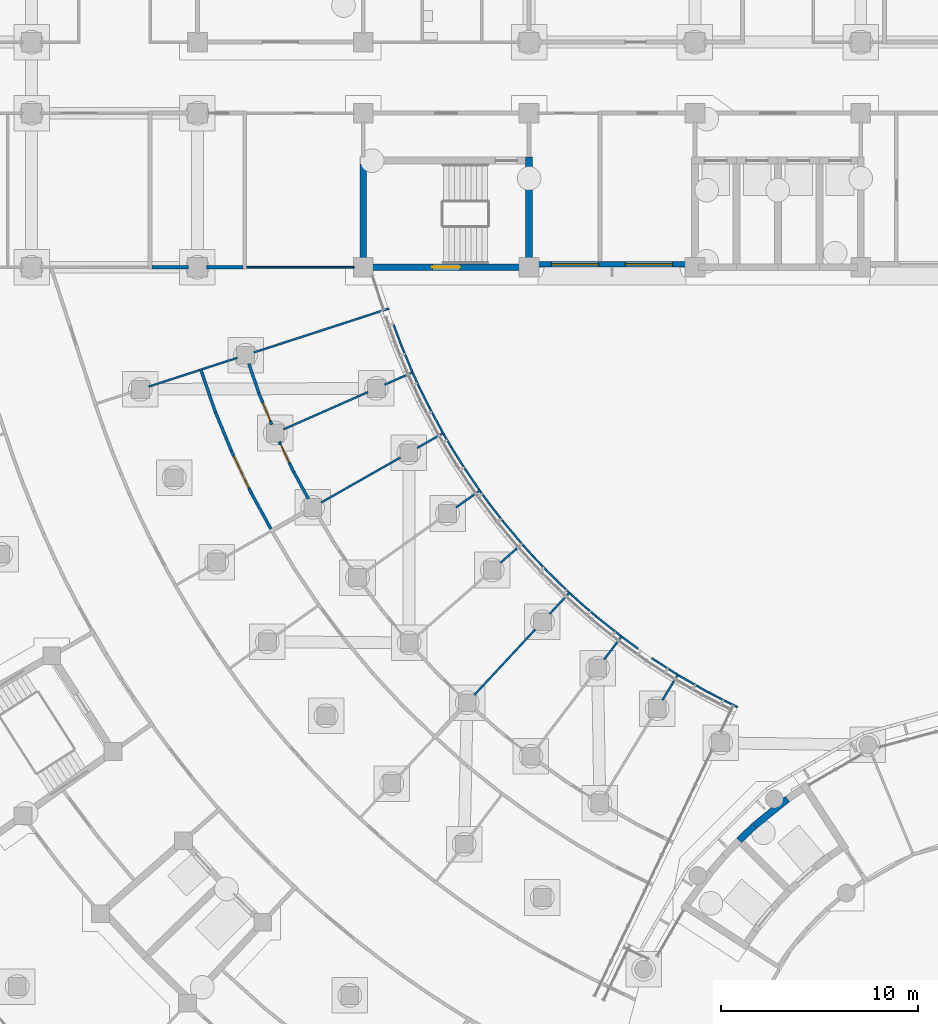
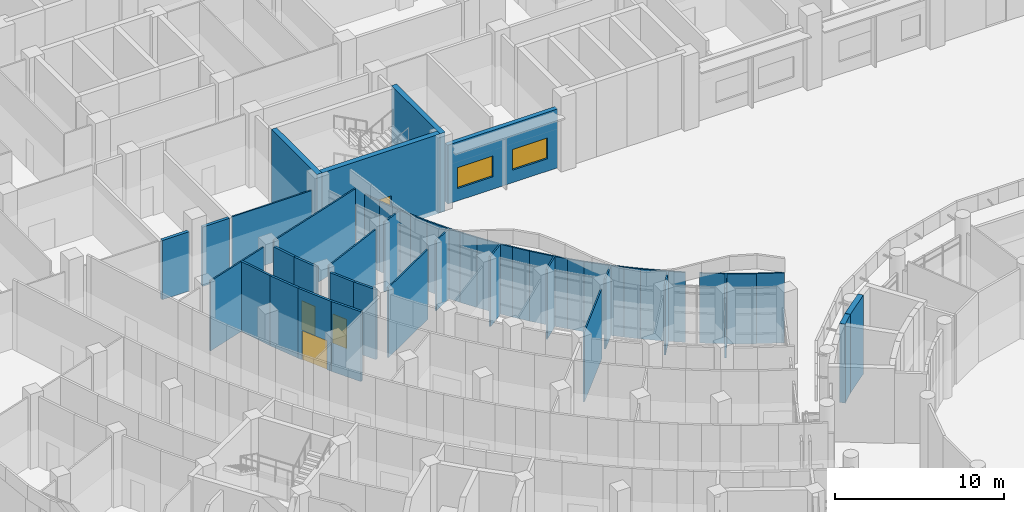
# One storey, part 68 of 146: 50 walls, 4 doors, 2 windows, 6 openings.
"""IFC4 building model written with IfcOpenShell, lengths in metres."""

from ifc_helpers import new_model, si_unit, direction, frame, frame_2d, origin, place, context, subcontext, project, spatial, rectangle, extrude, material, layer, layer_set, type_object, element, fill, save


model = new_model("IFC4")

# Units and contexts
model_context = context("Model", 3, precision=1e-05, world=origin(), true_north=direction((0.0, 1.0)))
body_context = subcontext(model_context, "Body", "Model", "MODEL_VIEW")
ifc_project = project(units=[si_unit("LENGTHUNIT", "METRE"), si_unit("AREAUNIT", "SQUARE_METRE"), si_unit("VOLUMEUNIT", "CUBIC_METRE"), si_unit("PLANEANGLEUNIT", "RADIAN"), si_unit("MASSUNIT", "GRAM", prefix="KILO")], contexts=[model_context])

# Site, building, storey
site_placement = place(None, origin())
site = spatial("IfcSite", under=ifc_project, at=site_placement, CompositionType="ELEMENT")
building_placement = place(site_placement, origin())
building = spatial("IfcBuilding", under=site, at=building_placement, Name="Bougainvillea Quay General Hospital", CompositionType="ELEMENT")
storey_placement = place(building_placement, origin())
storey = spatial("IfcBuildingStorey", under=building, at=storey_placement, Name="L00", CompositionType="ELEMENT", Elevation=0.0)

# Wall, openings, windows
ifc_material_1 = material(Name="Pale stone rainscreen cladding on insulated masonry backing, pale stone", Category="masonry")
ifc_layer_1 = layer(ifc_material_1, 0.300048828125)
ifc_layer_set_1 = layer_set([ifc_layer_1], Name="Pale stone rainscreen cladding on insulated masonry backing, pale stone")
wall_type_1 = type_object("IfcWallType", Name="External wall pale stone rainscreen 300", PredefinedType="STANDARD", material=ifc_layer_set_1)
wall_1_placement = place(storey_placement, frame((84.449951171875, 117.75, 0.0), z_axis=(0.0, 0.0, 1.0), x_axis=(1.0, 0.0, 0.0)))
wall_1 = element("IfcWall", 1, at=wall_1_placement, inside=storey, type_object=wall_type_1, Name="External wall wall/V4/L00/p1/00a", PredefinedType="STANDARD", context=body_context, shape_type="SweptSolid", body=[
    extrude(rectangle(XDim=7.5, YDim=0.300048828125, at=frame_2d((3.75, 0.0))), origin(), (0.0, 0.0, 1.0), 4.25),
])
opening_1_placement = place(wall_1_placement, frame((0.675048828125, 0.0, 0.89990234375)))
opening_1 = element("IfcOpeningElement", 2, at=opening_1_placement, cuts=wall_1, Name="Opening W3", PredefinedType="OPENING", context=body_context, shape_type="SweptSolid", body=[
    extrude(rectangle(XDim=2.39990234375, YDim=1.5, at=frame_2d((1.199951171875, 0.75))), frame((0.0, 0.159912109375, 0.0), z_axis=(0.0, -1.0, 0.0), x_axis=(1.0, 0.0, 0.0)), (0.0, 0.0, 1.0), 0.320068359375),
])
opening_2_placement = place(wall_1_placement, frame((4.425048828125, 0.0, 0.89990234375)))
opening_2 = element("IfcOpeningElement", 3, at=opening_2_placement, cuts=wall_1, Name="Opening W3", PredefinedType="OPENING", context=body_context, shape_type="SweptSolid", body=[
    extrude(rectangle(XDim=2.39990234375, YDim=1.5, at=frame_2d((1.199951171875, 0.75))), frame((0.0, 0.159912109375, 0.0), z_axis=(0.0, -1.0, 0.0), x_axis=(1.0, 0.0, 0.0)), (0.0, 0.0, 1.0), 0.320068359375),
])
ifc_material_2 = material(Name="Aluminium window frame with low-e double glazed unit", Category="aluminium")
window_type = type_object("IfcWindowType", Name="Window W3 2400x1500", PartitioningType="TRIPLE_PANEL_VERTICAL", PredefinedType="WINDOW", material=ifc_material_2)
window_1_placement = place(opening_1_placement, origin())
window_1 = element("IfcWindow", 4, at=window_1_placement, inside=storey, type_object=window_type, Name="Window W3 1", OverallHeight=1.5, OverallWidth=2.39990234375, PartitioningType="SINGLE_PANEL", PredefinedType="WINDOW", context=body_context, shape_type="SweptSolid", body=[
    extrude(rectangle(XDim=2.39990234375, YDim=1.5, at=frame_2d((1.199951171875, 0.75))), frame((0.0, 0.030029296875, 0.0), z_axis=(0.0, -1.0, 0.0), x_axis=(1.0, 0.0, 0.0)), (0.0, 0.0, 1.0), 0.06005859375),
])
fill(opening_1, window_1)
window_2_placement = place(opening_2_placement, origin())
window_2 = element("IfcWindow", 5, at=window_2_placement, inside=storey, type_object=window_type, Name="Window W3 2", OverallHeight=1.5, OverallWidth=2.39990234375, PartitioningType="SINGLE_PANEL", PredefinedType="WINDOW", context=body_context, shape_type="SweptSolid", body=[
    extrude(rectangle(XDim=2.39990234375, YDim=1.5, at=frame_2d((1.199951171875, 0.75))), frame((0.0, 0.030029296875, 0.0), z_axis=(0.0, -1.0, 0.0), x_axis=(1.0, 0.0, 0.0)), (0.0, 0.0, 1.0), 0.06005859375),
])
fill(opening_2, window_2)

# Walls
ifc_material_3 = material(Name="Gypsum board partition on steel studs", Category="steel")
ifc_layer_2 = layer(ifc_material_3, 0.10009765625)
ifc_layer_set_2 = layer_set([ifc_layer_2], Name="Gypsum board partition on steel studs")
wall_type_2 = type_object("IfcWallType", Name="Partition 100 Gypsum board partition", PredefinedType="PARTITIONING", material=ifc_layer_set_2)
wall_2_placement = place(storey_placement, frame((69.697998046875, 117.597900390625, 0.0), z_axis=(0.0, 0.0, 1.0), x_axis=(1.0, 0.0, 0.0)))
element("IfcWall", 6, at=wall_2_placement, inside=storey, type_object=wall_type_2, Name="Partition 100 mm", PredefinedType="PARTITIONING", context=body_context, shape_type="SweptSolid", body=[
    extrude(rectangle(XDim=5.451904296875, YDim=0.10009765625, at=frame_2d((2.72607421875, 0.0))), origin(), (0.0, 0.0, 1.0), 4.280029296875),
])
ifc_layer_3 = layer(ifc_material_3, 0.10009765625)
ifc_layer_set_3 = layer_set([ifc_layer_3], Name="Gypsum board partition on steel studs")
wall_type_3 = type_object("IfcWallType", Name="Partition 100 Gypsum board partition EI 30", PredefinedType="PARTITIONING", material=ifc_layer_set_3)
wall_3_placement = place(storey_placement, frame((64.72607421875, 111.549560546875, 0.0), z_axis=(0.0, 0.0, 1.0), x_axis=(0.951062529891, 0.308998485818, 0.0)))
element("IfcWall", 7, at=wall_3_placement, inside=storey, type_object=wall_type_3, Name="Partition 100 mm EI 30", PredefinedType="PARTITIONING", context=body_context, shape_type="SweptSolid", body=[
    extrude(rectangle(XDim=4.727294921875, YDim=0.10009765625, at=frame_2d((2.36376953125, 0.0))), origin(), (0.0, 0.0, 1.0), 5.050048828125),
])
wall_4_placement = place(storey_placement, frame((70.052001953125, 113.27978515625, 0.0), z_axis=(0.0, 0.0, 1.0), x_axis=(0.951069136727, 0.308978149982, 0.0)))
element("IfcWall", 8, at=wall_4_placement, inside=storey, type_object=wall_type_3, Name="Partition 100 mm EI 30", PredefinedType="PARTITIONING", context=body_context, shape_type="SweptSolid", body=[
    extrude(rectangle(XDim=7.212646484375, YDim=0.10009765625, at=frame_2d((3.6064453125, 0.0))), origin(), (0.0, 0.0, 1.0), 5.050048828125),
])
wall_5_placement = place(storey_placement, frame((87.7978515625, 97.7255859375, 0.0), z_axis=(0.0, 0.0, 1.0), x_axis=(0.603534256712, 0.797337068607, 0.0)))
element("IfcWall", 9, at=wall_5_placement, inside=storey, type_object=wall_type_3, Name="Partition 100 mm EI 30", PredefinedType="PARTITIONING", context=body_context, shape_type="SweptSolid", body=[
    extrude(rectangle(XDim=1.51171875, YDim=0.10009765625, at=frame_2d((0.755859375, 0.0))), origin(), (0.0, 0.0, 1.0), 5.050048828125),
])
wall_6_placement = place(storey_placement, frame((71.561767578125, 109.38720703125, 0.0), z_axis=(0.0, 0.0, 1.0), x_axis=(0.914844742968, 0.403805765515, 0.0)))
element("IfcWall", 10, at=wall_6_placement, inside=storey, type_object=wall_type_3, Name="Partition 100 mm EI 30", PredefinedType="PARTITIONING", context=body_context, shape_type="SweptSolid", body=[
    extrude(rectangle(XDim=4.68310546875, YDim=0.10009765625, at=frame_2d((2.341552734375, 0.0))), origin(), (0.0, 0.0, 1.0), 5.050048828125),
])
wall_7_placement = place(storey_placement, frame((76.685791015625, 111.64892578125, 0.0), z_axis=(0.0, 0.0, 1.0), x_axis=(0.914802710669, 0.403900978649, 0.0)))
element("IfcWall", 11, at=wall_7_placement, inside=storey, type_object=wall_type_3, Name="Partition 100 mm EI 30", PredefinedType="PARTITIONING", context=body_context, shape_type="SweptSolid", body=[
    extrude(rectangle(XDim=1.59033203125, YDim=0.10009765625, at=frame_2d((0.795166015625, 0.0))), origin(), (0.0, 0.0, 1.0), 5.050048828125),
])
wall_8_placement = place(storey_placement, frame((82.54931640625, 102.626220703125, 0.0), z_axis=(0.0, 0.0, 1.0), x_axis=(0.751798799024, 0.659392573347, 0.0)))
element("IfcWall", 12, at=wall_8_placement, inside=storey, type_object=wall_type_3, Name="Partition 100 mm EI 30", PredefinedType="PARTITIONING", context=body_context, shape_type="SweptSolid", body=[
    extrude(rectangle(XDim=1.498046875, YDim=0.10009765625, at=frame_2d((0.7490234375, 0.0))), origin(), (0.0, 0.0, 1.0), 5.050048828125),
])
wall_9_placement = place(storey_placement, frame((90.74951171875, 95.66845703125, 0.0), z_axis=(0.0, 0.0, 1.0), x_axis=(0.519552672181, 0.854438424247, 0.0)))
element("IfcWall", 13, at=wall_9_placement, inside=storey, type_object=wall_type_3, Name="Partition 100 mm EI 30", PredefinedType="PARTITIONING", context=body_context, shape_type="SweptSolid", body=[
    extrude(rectangle(XDim=1.552001953125, YDim=0.10009765625, at=frame_2d((0.77587890625, 0.0))), origin(), (0.0, 0.0, 1.0), 5.050048828125),
])
wall_10_placement = place(storey_placement, frame((80.29833984375, 105.430419921875, 0.0), z_axis=(0.0, 0.0, 1.0), x_axis=(0.814728250396, 0.579842977027, 0.0)))
element("IfcWall", 14, at=wall_10_placement, inside=storey, type_object=wall_type_3, Name="Partition 100 mm EI 30", PredefinedType="PARTITIONING", context=body_context, shape_type="SweptSolid", body=[
    extrude(rectangle(XDim=1.523681640625, YDim=0.10009765625, at=frame_2d((0.76171875, 0.0))), origin(), (0.0, 0.0, 1.0), 5.050048828125),
])
wall_11_placement = place(storey_placement, frame((81.22705078125, 95.935302734375, 0.0), z_axis=(0.0, 0.0, 1.0), x_axis=(0.681211440492, 0.732086725288, 0.0)))
element("IfcWall", 15, at=wall_11_placement, inside=storey, type_object=wall_type_3, Name="Partition 100 mm EI 30", PredefinedType="PARTITIONING", context=body_context, shape_type="SweptSolid", body=[
    extrude(rectangle(XDim=4.530029296875, YDim=0.10009765625, at=frame_2d((2.26513671875, 0.0))), origin(), (0.0, 0.0, 1.0), 5.050048828125),
])
wall_12_placement = place(storey_placement, frame((85.041015625, 100.034423828125, 0.0), z_axis=(0.0, 0.0, 1.0), x_axis=(0.681296599079, 0.732007475428, 0.0)))
element("IfcWall", 16, at=wall_12_placement, inside=storey, type_object=wall_type_3, Name="Partition 100 mm EI 30", PredefinedType="PARTITIONING", context=body_context, shape_type="SweptSolid", body=[
    extrude(rectangle(XDim=1.5166015625, YDim=0.10009765625, at=frame_2d((0.75830078125, 0.0))), origin(), (0.0, 0.0, 1.0), 5.050048828125),
])
wall_13_placement = place(storey_placement, frame((73.463134765625, 105.67626953125, 0.0), z_axis=(0.0, 0.0, 1.0), x_axis=(0.8692549769, 0.494364020874, 0.0)))
element("IfcWall", 17, at=wall_13_placement, inside=storey, type_object=wall_type_3, Name="Partition 100 mm EI 30", PredefinedType="PARTITIONING", context=body_context, shape_type="SweptSolid", body=[
    extrude(rectangle(XDim=4.62451171875, YDim=0.10009765625, at=frame_2d((2.312255859375, 0.0))), origin(), (0.0, 0.0, 1.0), 5.050048828125),
])
wall_14_placement = place(storey_placement, frame((78.331298828125, 108.44482421875, 0.0), z_axis=(0.0, 0.0, 1.0), x_axis=(0.869222922884, 0.494420378154, 0.0)))
element("IfcWall", 18, at=wall_14_placement, inside=storey, type_object=wall_type_3, Name="Partition 100 mm EI 30", PredefinedType="PARTITIONING", context=body_context, shape_type="SweptSolid", body=[
    extrude(rectangle(XDim=1.561279296875, YDim=0.10009765625, at=frame_2d((0.78076171875, 0.0))), origin(), (0.0, 0.0, 1.0), 5.050048828125),
])
wall_15_placement = place(storey_placement, frame((91.572265625, 96.927734375, 0.0), z_axis=(0.0, 0.0, 1.0), x_axis=(0.867607434085, -0.497249776591, 0.0)))
element("IfcWall", 19, at=wall_15_placement, inside=storey, type_object=wall_type_3, Name="Partition 100 mm EI 30", PredefinedType="PARTITIONING", context=body_context, shape_type="SweptSolid", body=[
    extrude(rectangle(XDim=1.750732421875, YDim=0.10009765625, at=frame_2d((0.87548828125, 0.0))), origin(), (0.0, 0.0, 1.0), 5.050048828125),
])
wall_16_placement = place(storey_placement, frame((93.09033203125, 96.060302734375, 0.0), z_axis=(0.0, 0.0, 1.0), x_axis=(0.891511605142, -0.452997856393, 0.0)))
element("IfcWall", 20, at=wall_16_placement, inside=storey, type_object=wall_type_3, Name="Partition 100 mm EI 30", PredefinedType="PARTITIONING", context=body_context, shape_type="SweptSolid", body=[
    extrude(rectangle(XDim=1.65185546875, YDim=0.10009765625, at=frame_2d((0.825927734375, 0.0))), origin(), (0.0, 0.0, 1.0), 5.050048828125),
])
wall_17_placement = place(storey_placement, frame((87.390869140625, 99.916015625, 0.0), z_axis=(0.0, 0.0, 1.0), x_axis=(0.7827431138, -0.622344934742, 0.0)))
element("IfcWall", 21, at=wall_17_placement, inside=storey, type_object=wall_type_3, Name="Partition 100 mm EI 30", PredefinedType="PARTITIONING", context=body_context, shape_type="SweptSolid", body=[
    extrude(rectangle(XDim=1.59814453125, YDim=0.10009765625, at=frame_2d((0.799072265625, 0.0))), origin(), (0.0, 0.0, 1.0), 5.050048828125),
])
wall_18_placement = place(storey_placement, frame((90.2099609375, 97.798095703125, 0.0), z_axis=(0.0, 0.0, 1.0), x_axis=(0.841976481819, -0.539514229713, 0.0)))
element("IfcWall", 22, at=wall_18_placement, inside=storey, type_object=wall_type_3, Name="Partition 100 mm EI 30", PredefinedType="PARTITIONING", context=body_context, shape_type="SweptSolid", body=[
    extrude(rectangle(XDim=1.51904296875, YDim=0.10009765625, at=frame_2d((0.759521484375, 0.0))), origin(), (0.0, 0.0, 1.0), 5.050048828125),
])
wall_19_placement = place(storey_placement, frame((84.897216796875, 102.223876953125, 0.0), z_axis=(0.0, 0.0, 1.0), x_axis=(0.715491637519, -0.698621297013, 0.0)))
element("IfcWall", 23, at=wall_19_placement, inside=storey, type_object=wall_type_3, Name="Partition 100 mm EI 30", PredefinedType="PARTITIONING", context=body_context, shape_type="SweptSolid", body=[
    extrude(rectangle(XDim=1.54833984375, YDim=0.10009765625, at=frame_2d((0.774169921875, 0.0))), origin(), (0.0, 0.0, 1.0), 5.050048828125),
])
wall_20_placement = place(storey_placement, frame((82.64501953125, 104.768310546875, 0.0), z_axis=(0.0, 0.0, 1.0), x_axis=(0.641529064264, -0.767098728785, 0.0)))
element("IfcWall", 24, at=wall_20_placement, inside=storey, type_object=wall_type_3, Name="Partition 100 mm EI 30", PredefinedType="PARTITIONING", context=body_context, shape_type="SweptSolid", body=[
    extrude(rectangle(XDim=1.4990234375, YDim=0.10009765625, at=frame_2d((0.74951171875, 0.0))), origin(), (0.0, 0.0, 1.0), 5.050048828125),
])
wall_21_placement = place(storey_placement, frame((80.656982421875, 107.52734375, 0.0), z_axis=(0.0, 0.0, 1.0), x_axis=(0.561086061718, -0.827757471332, 0.0)))
element("IfcWall", 25, at=wall_21_placement, inside=storey, type_object=wall_type_3, Name="Partition 100 mm EI 30", PredefinedType="PARTITIONING", context=body_context, shape_type="SweptSolid", body=[
    extrude(rectangle(XDim=1.451904296875, YDim=0.10009765625, at=frame_2d((0.72607421875, 0.0))), origin(), (0.0, 0.0, 1.0), 5.050048828125),
])
wall_22_placement = place(storey_placement, frame((78.952392578125, 110.47802734375, 0.0), z_axis=(0.0, 0.0, 1.0), x_axis=(0.474192635092, -0.880421117889, 0.0)))
element("IfcWall", 26, at=wall_22_placement, inside=storey, type_object=wall_type_3, Name="Partition 100 mm EI 30", PredefinedType="PARTITIONING", context=body_context, shape_type="SweptSolid", body=[
    extrude(rectangle(XDim=1.41162109375, YDim=0.10009765625, at=frame_2d((0.705810546875, 0.0))), origin(), (0.0, 0.0, 1.0), 5.050048828125),
])
wall_23_placement = place(storey_placement, frame((77.535888671875, 113.6181640625, 0.0), z_axis=(0.0, 0.0, 1.0), x_axis=(0.383274532271, -0.923634469318, 0.0)))
element("IfcWall", 27, at=wall_23_placement, inside=storey, type_object=wall_type_3, Name="Partition 100 mm EI 30", PredefinedType="PARTITIONING", context=body_context, shape_type="SweptSolid", body=[
    extrude(rectangle(XDim=1.40966796875, YDim=0.10009765625, at=frame_2d((0.704833984375, 0.0))), origin(), (0.0, 0.0, 1.0), 5.050048828125),
])
wall_24_placement = place(storey_placement, frame((77.132080078125, 114.700927734375, 0.0), z_axis=(0.0, 0.0, 1.0), x_axis=(0.350822880831, -0.936441832836, 0.0)))
element("IfcWall", 28, at=wall_24_placement, inside=storey, type_object=wall_type_3, Name="Partition 100 mm EI 30", PredefinedType="PARTITIONING", context=body_context, shape_type="SweptSolid", body=[
    extrude(rectangle(XDim=1.1572265625, YDim=0.10009765625, at=frame_2d((0.57861328125, 0.0))), origin(), (0.0, 0.0, 1.0), 5.050048828125),
])
wall_25_placement = place(storey_placement, frame((78.4306640625, 111.53076171875, 0.0), z_axis=(0.0, 0.0, 1.0), x_axis=(0.445137160255, -0.8954623993, 0.0)))
element("IfcWall", 29, at=wall_25_placement, inside=storey, type_object=wall_type_3, Name="Partition 100 mm EI 30", PredefinedType="PARTITIONING", context=body_context, shape_type="SweptSolid", body=[
    extrude(rectangle(XDim=1.176513671875, YDim=0.10009765625, at=frame_2d((0.58837890625, 0.0))), origin(), (0.0, 0.0, 1.0), 5.050048828125),
])
wall_26_placement = place(storey_placement, frame((80.054443359375, 108.490234375, 0.0), z_axis=(0.0, 0.0, 1.0), x_axis=(0.531657145883, -0.846959668008, 0.0)))
element("IfcWall", 30, at=wall_26_placement, inside=storey, type_object=wall_type_3, Name="Partition 100 mm EI 30", PredefinedType="PARTITIONING", context=body_context, shape_type="SweptSolid", body=[
    extrude(rectangle(XDim=1.137451171875, YDim=0.10009765625, at=frame_2d((0.56884765625, 0.0))), origin(), (0.0, 0.0, 1.0), 5.050048828125),
])
wall_27_placement = place(storey_placement, frame((81.977294921875, 105.62841796875, 0.0), z_axis=(0.0, 0.0, 1.0), x_axis=(0.61437453726, -0.78901452963, 0.0)))
element("IfcWall", 31, at=wall_27_placement, inside=storey, type_object=wall_type_3, Name="Partition 100 mm EI 30", PredefinedType="PARTITIONING", context=body_context, shape_type="SweptSolid", body=[
    extrude(rectangle(XDim=1.09033203125, YDim=0.10009765625, at=frame_2d((0.545166015625, 0.0))), origin(), (0.0, 0.0, 1.0), 5.050048828125),
])
wall_28_placement = place(storey_placement, frame((88.720947265625, 98.861083984375, 0.0), z_axis=(0.0, 0.0, 1.0), x_axis=(0.806061198055, -0.591832193269, 0.0)))
element("IfcWall", 32, at=wall_28_placement, inside=storey, type_object=wall_type_3, Name="Partition 100 mm EI 30", PredefinedType="PARTITIONING", context=body_context, shape_type="SweptSolid", body=[
    extrude(rectangle(XDim=0.99365234375, YDim=0.10009765625, at=frame_2d((0.496826171875, 0.0))), origin(), (0.0, 0.0, 1.0), 5.050048828125),
])
wall_29_placement = place(storey_placement, frame((84.180419921875, 102.97607421875, 0.0), z_axis=(0.0, 0.0, 1.0), x_axis=(0.691094804644, -0.722764118502, 0.0)))
element("IfcWall", 33, at=wall_29_placement, inside=storey, type_object=wall_type_3, Name="Partition 100 mm EI 30", PredefinedType="PARTITIONING", context=body_context, shape_type="SweptSolid", body=[
    extrude(rectangle(XDim=1.040771484375, YDim=0.10009765625, at=frame_2d((0.5205078125, 0.0))), origin(), (0.0, 0.0, 1.0), 5.050048828125),
])
wall_30_placement = place(storey_placement, frame((86.639892578125, 100.5615234375, 0.0), z_axis=(0.0, 0.0, 1.0), x_axis=(0.759638737838, -0.650345283658, 0.0)))
element("IfcWall", 34, at=wall_30_placement, inside=storey, type_object=wall_type_3, Name="Partition 100 mm EI 30", PredefinedType="PARTITIONING", context=body_context, shape_type="SweptSolid", body=[
    extrude(rectangle(XDim=0.99169921875, YDim=0.10009765625, at=frame_2d((0.495849609375, 0.0))), origin(), (0.0, 0.0, 1.0), 5.050048828125),
])
wall_31_placement = place(storey_placement, frame((78.115966796875, 112.22509765625, 0.0), z_axis=(0.0, 0.0, 1.0), x_axis=(0.414838086324, -0.909895247891, 0.0)))
element("IfcWall", 35, at=wall_31_placement, inside=storey, type_object=wall_type_3, Name="Partition 100 mm EI 30", PredefinedType="PARTITIONING", context=body_context, shape_type="SweptSolid", body=[
    extrude(rectangle(XDim=0.763916015625, YDim=0.10009765625, at=frame_2d((0.3818359375, 0.0))), origin(), (0.0, 0.0, 1.0), 5.050048828125),
])
wall_32_placement = place(storey_placement, frame((83.671875, 103.54345703125, 0.0), z_axis=(0.0, 0.0, 1.0), x_axis=(0.66903540409, -0.743230534945, 0.0)))
element("IfcWall", 36, at=wall_32_placement, inside=storey, type_object=wall_type_3, Name="Partition 100 mm EI 30", PredefinedType="PARTITIONING", context=body_context, shape_type="SweptSolid", body=[
    extrude(rectangle(XDim=0.763427734375, YDim=0.10009765625, at=frame_2d((0.3818359375, 0.0))), origin(), (0.0, 0.0, 1.0), 5.050048828125),
])
wall_33_placement = place(storey_placement, frame((79.670654296875, 109.148193359375, 0.0), z_axis=(0.0, 0.0, 1.0), x_axis=(0.505620943658, -0.862755736773, 0.0)))
element("IfcWall", 37, at=wall_33_placement, inside=storey, type_object=wall_type_3, Name="Partition 100 mm EI 30", PredefinedType="PARTITIONING", context=body_context, shape_type="SweptSolid", body=[
    extrude(rectangle(XDim=0.762939453125, YDim=0.10009765625, at=frame_2d((0.38134765625, 0.0))), origin(), (0.0, 0.0, 1.0), 5.050048828125),
])
wall_34_placement = place(storey_placement, frame((81.52880859375, 106.244140625, 0.0), z_axis=(0.0, 0.0, 1.0), x_axis=(0.590281268128, -0.807197636578, 0.0)))
element("IfcWall", 38, at=wall_34_placement, inside=storey, type_object=wall_type_3, Name="Partition 100 mm EI 30", PredefinedType="PARTITIONING", context=body_context, shape_type="SweptSolid", body=[
    extrude(rectangle(XDim=0.76318359375, YDim=0.10009765625, at=frame_2d((0.381591796875, 0.0))), origin(), (0.0, 0.0, 1.0), 5.050048828125),
])
wall_35_placement = place(storey_placement, frame((86.077392578125, 101.073974609375, 0.0), z_axis=(0.0, 0.0, 1.0), x_axis=(0.740693092669, -0.671843540173, 0.0)))
element("IfcWall", 39, at=wall_35_placement, inside=storey, type_object=wall_type_3, Name="Partition 100 mm EI 30", PredefinedType="PARTITIONING", context=body_context, shape_type="SweptSolid", body=[
    extrude(rectangle(XDim=0.762451171875, YDim=0.10009765625, at=frame_2d((0.38134765625, 0.0))), origin(), (0.0, 0.0, 1.0), 5.050048828125),
])

# Wall, opening, door
ifc_material_4 = material(Name="Gypsum board partition on steel studs, insulated", Category="steel")
ifc_layer_4 = layer(ifc_material_4, 0.14990234375)
ifc_layer_set_4 = layer_set([ifc_layer_4], Name="Gypsum board partition on steel studs, insulated")
wall_type_4 = type_object("IfcWallType", Name="Partition 150 Gypsum board partition EI 30", PredefinedType="PARTITIONING", material=ifc_layer_set_4)
wall_36_placement = place(storey_placement, frame((68.9150390625, 108.30078125, 0.0), z_axis=(0.0, 0.0, 1.0), x_axis=(0.426631335289, -0.904425620905, 0.0)))
wall_36 = element("IfcWall", 40, at=wall_36_placement, inside=storey, type_object=wall_type_4, Name="Partition 150 mm EI 30", PredefinedType="PARTITIONING", context=body_context, shape_type="SweptSolid", body=[
    extrude(rectangle(XDim=2.381103515625, YDim=0.14990234375, at=frame_2d((1.1904296875, 0.0))), origin(), (0.0, 0.0, 1.0), 5.050048828125),
])
opening_3_placement = place(wall_36_placement, frame((0.29052734375, 0.0, 0.0)))
opening_3 = element("IfcOpeningElement", 41, at=opening_3_placement, cuts=wall_36, Name="Opening L00.222", PredefinedType="OPENING", context=body_context, shape_type="SweptSolid", body=[
    extrude(rectangle(XDim=1.800048828125, YDim=2.10009765625, at=frame_2d((0.89990234375, 1.050048828125))), frame((0.0, 0.0849609375, 0.0), z_axis=(0.0, -1.0, 0.0), x_axis=(1.0, 0.0, 0.0)), (0.0, 0.0, 1.0), 0.169921875),
])
ifc_material_5 = material(Name="Solid-core timber door leaves in steel frame", Category="steel")
door_type_1 = type_object("IfcDoorType", Name="Double leaf door 1800x2100", OperationType="DOUBLE_DOOR_SINGLE_SWING", PredefinedType="DOOR", material=ifc_material_5)
door_1_placement = place(opening_3_placement, origin())
door_1 = element("IfcDoor", 42, at=door_1_placement, inside=storey, type_object=door_type_1, Name="DT08 L00.222", OperationType="DOUBLE_DOOR_SINGLE_SWING", OverallHeight=2.10009765625, OverallWidth=1.800048828125, PredefinedType="DOOR", context=body_context, shape_type="SweptSolid", body=[
    extrude(rectangle(XDim=1.800048828125, YDim=2.10009765625, at=frame_2d((0.89990234375, 1.050048828125))), frame((0.0, 0.02490234375, 0.0), z_axis=(0.0, -1.0, 0.0), x_axis=(1.0, 0.0, 0.0)), (0.0, 0.0, 1.0), 0.050048828125),
])
fill(opening_3, door_1)

# Walls
wall_37_placement = place(storey_placement, frame((67.356689453125, 112.453369140625, 0.0), z_axis=(0.0, 0.0, 1.0), x_axis=(0.32494944972, -0.94573138635, 0.0)))
element("IfcWall", 43, at=wall_37_placement, inside=storey, type_object=wall_type_4, Name="Partition 150 mm EI 30", PredefinedType="PARTITIONING", context=body_context, shape_type="SweptSolid", body=[
    extrude(rectangle(XDim=2.356201171875, YDim=0.14990234375, at=frame_2d((1.17822265625, 0.0))), origin(), (0.0, 0.0, 1.0), 5.050048828125),
])
wall_38_placement = place(storey_placement, frame((69.93310546875, 106.153076171875, 0.0), z_axis=(0.0, 0.0, 1.0), x_axis=(0.479964929401, -0.877287676047, 0.0)))
element("IfcWall", 44, at=wall_38_placement, inside=storey, type_object=wall_type_4, Name="Partition 150 mm EI 30", PredefinedType="PARTITIONING", context=body_context, shape_type="SweptSolid", body=[
    extrude(rectangle(XDim=2.05908203125, YDim=0.14990234375, at=frame_2d((1.029541015625, 0.0))), origin(), (0.0, 0.0, 1.0), 5.050048828125),
])
wall_39_placement = place(storey_placement, frame((68.125, 110.230712890625, 0.0), z_axis=(0.0, 0.0, 1.0), x_axis=(0.38056168262, -0.924755538357, 0.0)))
element("IfcWall", 45, at=wall_39_placement, inside=storey, type_object=wall_type_4, Name="Partition 150 mm EI 30", PredefinedType="PARTITIONING", context=body_context, shape_type="SweptSolid", body=[
    extrude(rectangle(XDim=2.0888671875, YDim=0.14990234375, at=frame_2d((1.04443359375, 0.0))), origin(), (0.0, 0.0, 1.0), 5.050048828125),
])

# Wall, opening, door
wall_40_placement = place(storey_placement, frame((71.345703125, 108.7705078125, 0.0), z_axis=(0.0, 0.0, 1.0), x_axis=(0.42702903496, -0.904237912997, 0.0)))
wall_40 = element("IfcWall", 46, at=wall_40_placement, inside=storey, type_object=wall_type_4, Name="Partition 150 mm EI 30", PredefinedType="PARTITIONING", context=body_context, shape_type="SweptSolid", body=[
    extrude(rectangle(XDim=1.707763671875, YDim=0.14990234375, at=frame_2d((0.85400390625, 0.0))), origin(), (0.0, 0.0, 1.0), 5.050048828125),
])
opening_4_placement = place(wall_40_placement, frame((0.177978515625, 0.0, 0.0)))
opening_4 = element("IfcOpeningElement", 47, at=opening_4_placement, cuts=wall_40, Name="Opening L00.266", PredefinedType="OPENING", context=body_context, shape_type="SweptSolid", body=[
    extrude(rectangle(XDim=1.0, YDim=2.10009765625, at=frame_2d((0.5, 1.050048828125))), frame((0.0, 0.0849609375, 0.0), z_axis=(0.0, -1.0, 0.0), x_axis=(1.0, 0.0, 0.0)), (0.0, 0.0, 1.0), 0.169921875),
])
ifc_material_6 = material(Name="Solid-core timber door leaf in steel frame", Category="steel")
door_type_2 = type_object("IfcDoorType", Name="Single leaf door 1000x2100 FD30S", OperationType="NOTDEFINED", PredefinedType="DOOR", material=ifc_material_6)
door_2_placement = place(opening_4_placement, origin())
door_2 = element("IfcDoor", 48, at=door_2_placement, inside=storey, type_object=door_type_2, Name="DT15 L00.266", OperationType="SINGLE_SWING_LEFT", OverallHeight=2.10009765625, OverallWidth=1.0, PredefinedType="DOOR", context=body_context, shape_type="SweptSolid", body=[
    extrude(rectangle(XDim=1.0, YDim=2.10009765625, at=frame_2d((0.5, 1.050048828125))), frame((0.0, 0.02490234375, 0.0), z_axis=(0.0, -1.0, 0.0), x_axis=(1.0, 0.0, 0.0)), (0.0, 0.0, 1.0), 0.050048828125),
])
fill(opening_4, door_2)

wall_41_placement = place(storey_placement, frame((70.3115234375, 111.222412109375, 0.0), z_axis=(0.0, 0.0, 1.0), x_axis=(0.380150665177, -0.924924576258, 0.0)))
wall_41 = element("IfcWall", 49, at=wall_41_placement, inside=storey, type_object=wall_type_4, Name="Partition 150 mm EI 30", PredefinedType="PARTITIONING", context=body_context, shape_type="SweptSolid", body=[
    extrude(rectangle(XDim=1.7216796875, YDim=0.14990234375, at=frame_2d((0.86083984375, 0.0))), origin(), (0.0, 0.0, 1.0), 5.050048828125),
])
opening_5_placement = place(wall_41_placement, frame((0.52978515625, 0.0, 0.0)))
opening_5 = element("IfcOpeningElement", 50, at=opening_5_placement, cuts=wall_41, Name="Opening L00.267", PredefinedType="OPENING", context=body_context, shape_type="SweptSolid", body=[
    extrude(rectangle(XDim=1.0, YDim=2.10009765625, at=frame_2d((0.5, 1.050048828125))), frame((0.0, 0.0849609375, 0.0), z_axis=(0.0, -1.0, 0.0), x_axis=(1.0, 0.0, 0.0)), (0.0, 0.0, 1.0), 0.169921875),
])
door_3_placement = place(opening_5_placement, origin())
door_3 = element("IfcDoor", 51, at=door_3_placement, inside=storey, type_object=door_type_2, Name="DT15 L00.267", OperationType="SINGLE_SWING_RIGHT", OverallHeight=2.10009765625, OverallWidth=1.0, PredefinedType="DOOR", context=body_context, shape_type="SweptSolid", body=[
    extrude(rectangle(XDim=1.0, YDim=2.10009765625, at=frame_2d((0.5, 1.050048828125))), frame((0.0, 0.02490234375, 0.0), z_axis=(0.0, -1.0, 0.0), x_axis=(1.0, 0.0, 0.0)), (0.0, 0.0, 1.0), 0.050048828125),
])
fill(opening_5, door_3)

# Walls
wall_42_placement = place(storey_placement, frame((72.076904296875, 107.23193359375, 0.0), z_axis=(0.0, 0.0, 1.0), x_axis=(0.480041086357, -0.877246006209, 0.0)))
element("IfcWall", 52, at=wall_42_placement, inside=storey, type_object=wall_type_4, Name="Partition 150 mm EI 30", PredefinedType="PARTITIONING", context=body_context, shape_type="SweptSolid", body=[
    extrude(rectangle(XDim=1.55322265625, YDim=0.14990234375, at=frame_2d((0.776611328125, 0.0))), origin(), (0.0, 0.0, 1.0), 5.050048828125),
])
wall_43_placement = place(storey_placement, frame((69.80224609375, 112.718017578125, 0.0), z_axis=(0.0, 0.0, 1.0), x_axis=(0.32490745983, -0.945745812863, 0.0)))
element("IfcWall", 53, at=wall_43_placement, inside=storey, type_object=wall_type_4, Name="Partition 150 mm EI 30", PredefinedType="PARTITIONING", context=body_context, shape_type="SweptSolid", body=[
    extrude(rectangle(XDim=1.583984375, YDim=0.14990234375, at=frame_2d((0.7919921875, 0.0))), origin(), (0.0, 0.0, 1.0), 5.050048828125),
])
ifc_material_7 = material(Name="Fire-rated autoclaved aerated block wall, plastered")
ifc_layer_5 = layer(ifc_material_7, 0.199951171875)
ifc_layer_set_5 = layer_set([ifc_layer_5], Name="Fire-rated autoclaved aerated block wall, plastered")
wall_type_5 = type_object("IfcWallType", Name="Partition 200 Fire-rated autoclaved aerated block wall EI 60", PredefinedType="SOLIDWALL", material=ifc_layer_set_5)
wall_44_placement = place(storey_placement, frame((64.89794921875, 117.597900390625, 0.0), z_axis=(0.0, 0.0, 1.0), x_axis=(1.0, 0.0, 0.0)))
element("IfcWall", 54, at=wall_44_placement, inside=storey, type_object=wall_type_5, Name="Partition 200 mm EI 60", PredefinedType="SOLIDWALL", context=body_context, shape_type="SweptSolid", body=[
    extrude(rectangle(XDim=1.85205078125, YDim=0.199951171875, at=frame_2d((0.926025390625, 0.0))), origin(), (0.0, 0.0, 1.0), 4.280029296875),
])
wall_45_placement = place(storey_placement, frame((67.64990234375, 117.597900390625, 0.0), z_axis=(0.0, 0.0, 1.0), x_axis=(1.0, 0.0, 0.0)))
element("IfcWall", 55, at=wall_45_placement, inside=storey, type_object=wall_type_5, Name="Partition 200 mm EI 60", PredefinedType="SOLIDWALL", context=body_context, shape_type="SweptSolid", body=[
    extrude(rectangle(XDim=1.84814453125, YDim=0.199951171875, at=frame_2d((0.924072265625, 0.0))), origin(), (0.0, 0.0, 1.0), 4.280029296875),
])
ifc_material_8 = material(Name="Concrete C40", Category="concrete")
ifc_layer_6 = layer(ifc_material_8, 0.35009765625)
ifc_layer_set_6 = layer_set([ifc_layer_6], Name="Concrete C40")
wall_type_6 = type_object("IfcWallType", Name="RC SHEAR WALL 350 C40", PredefinedType="SHEAR", material=ifc_layer_set_6)
wall_46_placement = place(storey_placement, frame((75.60009765625, 117.425048828125, -0.300048828125), z_axis=(0.0, 0.0, 1.0), x_axis=(0.0, 1.0, 0.0)))
element("IfcWall", 56, at=wall_46_placement, inside=storey, type_object=wall_type_6, Name="Shear wall L00", PredefinedType="SHEAR", context=body_context, shape_type="SweptSolid", body=[
    extrude(rectangle(XDim=5.39990234375, YDim=0.35009765625, at=frame_2d((2.699951171875, 0.0))), origin(), (0.0, 0.0, 1.0), 5.699951171875),
])

# Wall, opening, door
wall_47_placement = place(storey_placement, frame((75.77490234375, 117.60009765625, -0.300048828125), z_axis=(0.0, 0.0, 1.0), x_axis=(1.0, 0.0, 0.0)))
wall_47 = element("IfcWall", 57, at=wall_47_placement, inside=storey, type_object=wall_type_6, Name="Shear wall L00", PredefinedType="SHEAR", context=body_context, shape_type="SweptSolid", body=[
    extrude(rectangle(XDim=8.050048828125, YDim=0.35009765625, at=frame_2d((4.02490234375, 0.0))), origin(), (0.0, 0.0, 1.0), 5.699951171875),
])
opening_6_placement = place(wall_47_placement, frame((3.324951171875, 0.0, 0.300048828125)))
opening_6 = element("IfcOpeningElement", 58, at=opening_6_placement, cuts=wall_47, Name="Opening L00.340", PredefinedType="OPENING", context=body_context, shape_type="SweptSolid", body=[
    extrude(rectangle(XDim=1.39990234375, YDim=2.10009765625, at=frame_2d((0.699951171875, 1.050048828125))), frame((0.0, 0.18505859375, 0.0), z_axis=(0.0, -1.0, 0.0), x_axis=(1.0, 0.0, 0.0)), (0.0, 0.0, 1.0), 0.3701171875),
])
ifc_material_9 = material(Name="Steel door leaf, painted, with vision panel", Category="steel")
door_type_3 = type_object("IfcDoorType", Name="Stair discharge door 1400x2100", OperationType="SINGLE_SWING_LEFT", PredefinedType="DOOR", material=ifc_material_9)
door_4_placement = place(opening_6_placement, frame((1.39990234375, 0.0, 0.0), z_axis=(0.0, 0.0, 1.0), x_axis=(-1.0, 0.0, 0.0)))
door_4 = element("IfcDoor", 59, at=door_4_placement, inside=storey, type_object=door_type_3, Name="Stair discharge door ST-B2", OperationType="SINGLE_SWING_LEFT", OverallHeight=2.10009765625, OverallWidth=1.39990234375, PredefinedType="DOOR", context=body_context, shape_type="SweptSolid", body=[
    extrude(rectangle(XDim=1.39990234375, YDim=2.10009765625, at=frame_2d((0.699951171875, 1.050048828125))), frame((0.0, 0.02490234375, 0.0), z_axis=(0.0, -1.0, 0.0), x_axis=(1.0, 0.0, 0.0)), (0.0, 0.0, 1.0), 0.050048828125),
])
fill(opening_6, door_4)

# Walls
wall_48_placement = place(storey_placement, frame((84.0, 117.425048828125, -0.300048828125), z_axis=(0.0, 0.0, 1.0), x_axis=(0.0, 1.0, 0.0)))
element("IfcWall", 60, at=wall_48_placement, inside=storey, type_object=wall_type_6, Name="Shear wall L00", PredefinedType="SHEAR", context=body_context, shape_type="SweptSolid", body=[
    extrude(rectangle(XDim=5.75, YDim=0.35009765625, at=frame_2d((2.875, 0.0))), origin(), (0.0, 0.0, 1.0), 5.699951171875),
])
wall_49_placement = place(storey_placement, frame((94.63720703125, 88.569091796875, -0.300048828125), z_axis=(0.0, 0.0, 1.0), x_axis=(0.724948027673, 0.688803569367, 0.0)))
element("IfcWall", 61, at=wall_49_placement, inside=storey, type_object=wall_type_6, Name="Shear wall L00", PredefinedType="SHEAR", context=body_context, shape_type="SweptSolid", body=[
    extrude(rectangle(XDim=1.067138671875, YDim=0.35009765625, at=frame_2d((0.53369140625, 0.0))), origin(), (0.0, 0.0, 1.0), 5.699951171875),
])
wall_50_placement = place(storey_placement, frame((97.086669921875, 90.66162109375, -0.300048828125), z_axis=(0.0, 0.0, 1.0), x_axis=(-0.777231602748, -0.629214618146, 0.0)))
element("IfcWall", 62, at=wall_50_placement, inside=storey, type_object=wall_type_6, Name="Shear wall L00", PredefinedType="SHEAR", context=body_context, shape_type="SweptSolid", body=[
    extrude(rectangle(XDim=2.142578125, YDim=0.35009765625, at=frame_2d((1.0712890625, 0.0))), origin(), (0.0, 0.0, 1.0), 5.699951171875),
])

save(model, "model.ifc")
